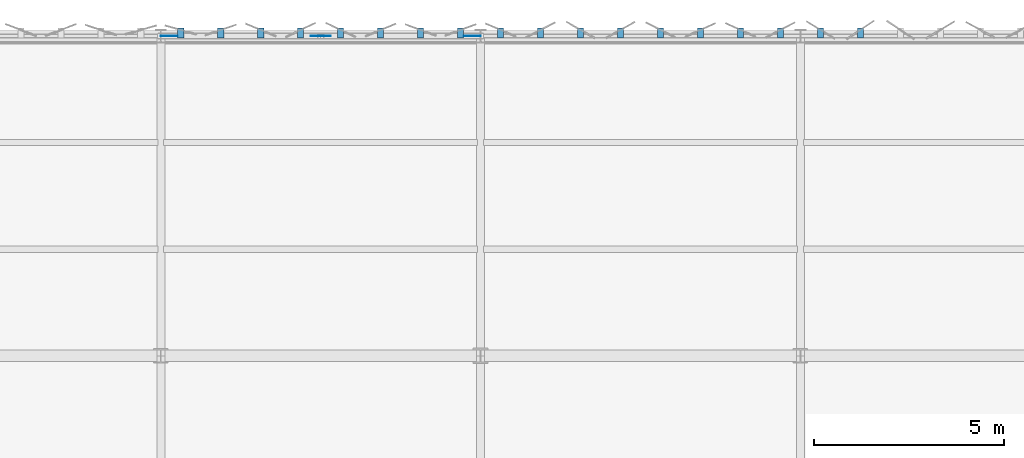
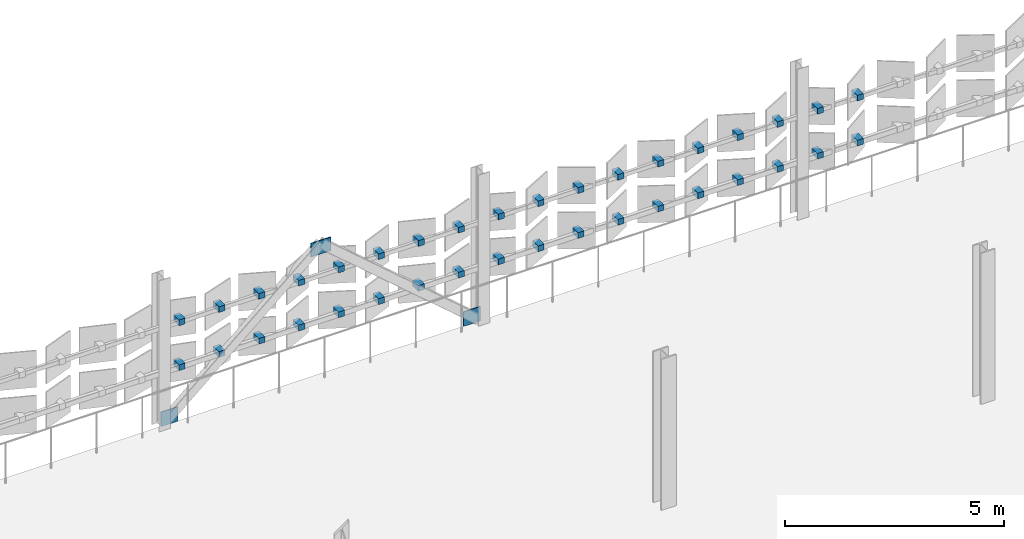
# One storey, part 150 of 163: 39 discrete accessories.
"""IFC4 building model written with IfcOpenShell, lengths in metres."""

from ifc_helpers import new_model, si_unit, direction, frame, origin, origin_2d, place, context, subcontext, project, spatial, rectangle, extrude, material, type_object, element, save


model = new_model("IFC4")

# Units and contexts
model_context = context("Model", 3, precision=1e-05, world=origin(), true_north=direction((0.0, 1.0)))
body_context = subcontext(model_context, "Body", "Model", "MODEL_VIEW")
ifc_project = project(units=[si_unit("LENGTHUNIT", "METRE"), si_unit("AREAUNIT", "SQUARE_METRE"), si_unit("VOLUMEUNIT", "CUBIC_METRE"), si_unit("PLANEANGLEUNIT", "RADIAN"), si_unit("MASSUNIT", "GRAM", prefix="KILO")], contexts=[model_context])

# Site, building, storey
site_placement = place(None, origin())
site = spatial("IfcSite", under=ifc_project, at=site_placement, CompositionType="ELEMENT")
building_placement = place(site_placement, origin())
building = spatial("IfcBuilding", under=site, at=building_placement, Name="Qalvenar Corner Mobility Hub", CompositionType="ELEMENT")
storey_placement = place(building_placement, frame((0.0, 0.0, 4.800048828125)))
storey = spatial("IfcBuildingStorey", under=building, at=storey_placement, Name="L01", CompositionType="ELEMENT", Elevation=4.800048828125)

# Discrete accessories
ifc_material = material(Name="Steel S355", Category="steel")
discrete_accessory_type_1 = type_object("IfcDiscreteAccessoryType", Name="ACC-GUSSET-PLT", PredefinedType="BRACKET", material=ifc_material)
discrete_accessory_placement = place(storey_placement, frame((113.39990234375, 117.60009765625, 3.330078125), z_axis=(0.0, 0.0, 1.0), x_axis=(1.0, 0.0, 0.0)))
element("IfcDiscreteAccessory", 1, at=discrete_accessory_placement, inside=storey, type_object=discrete_accessory_type_1, Name="Chevron Apex Gusset Plate GP-A-046", PredefinedType="BRACKET", context=body_context, shape_type="SweptSolid", body=[
    extrude(rectangle(XDim=0.52001953125, YDim=0.02490234375, at=origin_2d()), origin(), (0.0, 0.0, 1.0), 0.3798828125),
])
for number, where, z_axis, x_axis, name in (
    (2, (109.419921875, 117.60009765625, 0.0), (0.0, 0.0, 1.0), (1.0, 0.0, 0.0), "Brace Base Gusset Plate GP-B-047"),
    (3, (117.3798828125, 117.60009765625, 0.0), (0.0, 0.0, 1.0), (1.0, 0.0, 0.0), "Brace Base Gusset Plate GP-B-048"),
):
    element("IfcDiscreteAccessory", number, at=place(storey_placement, frame(where, z_axis=z_axis, x_axis=x_axis)), inside=storey, type_object=discrete_accessory_type_1, Name=name, PredefinedType="BRACKET", context=body_context, shape_type="SweptSolid", body=[
        extrude(rectangle(XDim=0.449951171875, YDim=0.02490234375, at=origin_2d()), origin(), (0.0, 0.0, 1.0), 0.39990234375),
    ])
discrete_accessory_type_2 = type_object("IfcDiscreteAccessoryType", Name="ACC-HINGE-BRK", PredefinedType="BRACKET", material=ifc_material)
for number, where, z_axis, x_axis, name in (
    (4, (127.574951171875, 117.679931640625, 1.419921875), (0.0, 0.0, 1.0), (-1.0, 0.0, 0.0), "Panel Hinge Bracket BK-L01-0141"),
    (5, (127.574951171875, 117.679931640625, 2.669921875), (0.0, 0.0, 1.0), (-1.0, 0.0, 0.0), "Panel Hinge Bracket BK-L01-0142"),
    (6, (126.52490234375, 117.679931640625, 1.419921875), (0.0, 0.0, 1.0), (-1.0, 0.0, 0.0), "Panel Hinge Bracket BK-L01-0143"),
    (7, (126.52490234375, 117.679931640625, 2.669921875), (0.0, 0.0, 1.0), (-1.0, 0.0, 0.0), "Panel Hinge Bracket BK-L01-0144"),
    (8, (125.47509765625, 117.679931640625, 1.419921875), (0.0, 0.0, 1.0), (-1.0, 0.0, 0.0), "Panel Hinge Bracket BK-L01-0145"),
    (9, (125.47509765625, 117.679931640625, 2.669921875), (0.0, 0.0, 1.0), (-1.0, 0.0, 0.0), "Panel Hinge Bracket BK-L01-0146"),
    (10, (124.425048828125, 117.679931640625, 1.419921875), (0.0, 0.0, 1.0), (-1.0, 0.0, 0.0), "Panel Hinge Bracket BK-L01-0147"),
    (11, (124.425048828125, 117.679931640625, 2.669921875), (0.0, 0.0, 1.0), (-1.0, 0.0, 0.0), "Panel Hinge Bracket BK-L01-0148"),
    (12, (123.375, 117.679931640625, 1.419921875), (0.0, 0.0, 1.0), (-1.0, 0.0, 0.0), "Panel Hinge Bracket BK-L01-0149"),
    (13, (123.375, 117.679931640625, 2.669921875), (0.0, 0.0, 1.0), (-1.0, 0.0, 0.0), "Panel Hinge Bracket BK-L01-0150"),
    (14, (122.324951171875, 117.679931640625, 1.419921875), (0.0, 0.0, 1.0), (-1.0, 0.0, 0.0), "Panel Hinge Bracket BK-L01-0151"),
    (15, (122.324951171875, 117.679931640625, 2.669921875), (0.0, 0.0, 1.0), (-1.0, 0.0, 0.0), "Panel Hinge Bracket BK-L01-0152"),
    (16, (121.27490234375, 117.679931640625, 1.419921875), (0.0, 0.0, 1.0), (-1.0, 0.0, 0.0), "Panel Hinge Bracket BK-L01-0153"),
    (17, (121.27490234375, 117.679931640625, 2.669921875), (0.0, 0.0, 1.0), (-1.0, 0.0, 0.0), "Panel Hinge Bracket BK-L01-0154"),
    (18, (120.22509765625, 117.679931640625, 1.419921875), (0.0, 0.0, 1.0), (-1.0, 0.0, 0.0), "Panel Hinge Bracket BK-L01-0155"),
    (19, (120.22509765625, 117.679931640625, 2.669921875), (0.0, 0.0, 1.0), (-1.0, 0.0, 0.0), "Panel Hinge Bracket BK-L01-0156"),
    (20, (119.175048828125, 117.679931640625, 1.419921875), (0.0, 0.0, 1.0), (-1.0, 0.0, 0.0), "Panel Hinge Bracket BK-L01-0157"),
    (21, (119.175048828125, 117.679931640625, 2.669921875), (0.0, 0.0, 1.0), (-1.0, 0.0, 0.0), "Panel Hinge Bracket BK-L01-0158"),
    (22, (118.125, 117.679931640625, 1.419921875), (0.0, 0.0, 1.0), (-1.0, 0.0, 0.0), "Panel Hinge Bracket BK-L01-0159"),
    (23, (118.125, 117.679931640625, 2.669921875), (0.0, 0.0, 1.0), (-1.0, 0.0, 0.0), "Panel Hinge Bracket BK-L01-0160"),
    (24, (117.074951171875, 117.679931640625, 1.419921875), (0.0, 0.0, 1.0), (-1.0, 0.0, 0.0), "Panel Hinge Bracket BK-L01-0161"),
    (25, (117.074951171875, 117.679931640625, 2.669921875), (0.0, 0.0, 1.0), (-1.0, 0.0, 0.0), "Panel Hinge Bracket BK-L01-0162"),
    (26, (116.02490234375, 117.679931640625, 1.419921875), (0.0, 0.0, 1.0), (-1.0, 0.0, 0.0), "Panel Hinge Bracket BK-L01-0163"),
    (27, (116.02490234375, 117.679931640625, 2.669921875), (0.0, 0.0, 1.0), (-1.0, 0.0, 0.0), "Panel Hinge Bracket BK-L01-0164"),
    (28, (114.97509765625, 117.679931640625, 1.419921875), (0.0, 0.0, 1.0), (-1.0, 0.0, 0.0), "Panel Hinge Bracket BK-L01-0165"),
    (29, (114.97509765625, 117.679931640625, 2.669921875), (0.0, 0.0, 1.0), (-1.0, 0.0, 0.0), "Panel Hinge Bracket BK-L01-0166"),
    (30, (113.925048828125, 117.679931640625, 1.419921875), (0.0, 0.0, 1.0), (-1.0, 0.0, 0.0), "Panel Hinge Bracket BK-L01-0167"),
    (31, (113.925048828125, 117.679931640625, 2.669921875), (0.0, 0.0, 1.0), (-1.0, 0.0, 0.0), "Panel Hinge Bracket BK-L01-0168"),
    (32, (112.875, 117.679931640625, 1.419921875), (0.0, 0.0, 1.0), (-1.0, 0.0, 0.0), "Panel Hinge Bracket BK-L01-0169"),
    (33, (112.875, 117.679931640625, 2.669921875), (0.0, 0.0, 1.0), (-1.0, 0.0, 0.0), "Panel Hinge Bracket BK-L01-0170"),
    (34, (111.824951171875, 117.679931640625, 1.419921875), (0.0, 0.0, 1.0), (-1.0, 0.0, 0.0), "Panel Hinge Bracket BK-L01-0171"),
    (35, (111.824951171875, 117.679931640625, 2.669921875), (0.0, 0.0, 1.0), (-1.0, 0.0, 0.0), "Panel Hinge Bracket BK-L01-0172"),
    (36, (110.77490234375, 117.679931640625, 1.419921875), (0.0, 0.0, 1.0), (-1.0, 0.0, 0.0), "Panel Hinge Bracket BK-L01-0173"),
    (37, (110.77490234375, 117.679931640625, 2.669921875), (0.0, 0.0, 1.0), (-1.0, 0.0, 0.0), "Panel Hinge Bracket BK-L01-0174"),
    (38, (109.72509765625, 117.679931640625, 1.419921875), (0.0, 0.0, 1.0), (-1.0, 0.0, 0.0), "Panel Hinge Bracket BK-L01-0175"),
    (39, (109.72509765625, 117.679931640625, 2.669921875), (0.0, 0.0, 1.0), (-1.0, 0.0, 0.0), "Panel Hinge Bracket BK-L01-0176"),
):
    element("IfcDiscreteAccessory", number, at=place(storey_placement, frame(where, z_axis=z_axis, x_axis=x_axis)), inside=storey, type_object=discrete_accessory_type_2, Name=name, PredefinedType="BRACKET", context=body_context, shape_type="SweptSolid", body=[
        extrude(rectangle(XDim=0.159912109375, YDim=0.260009765625, at=origin_2d()), origin(), (0.0, 0.0, 1.0), 0.159912109375),
    ])

save(model, "model.ifc")
